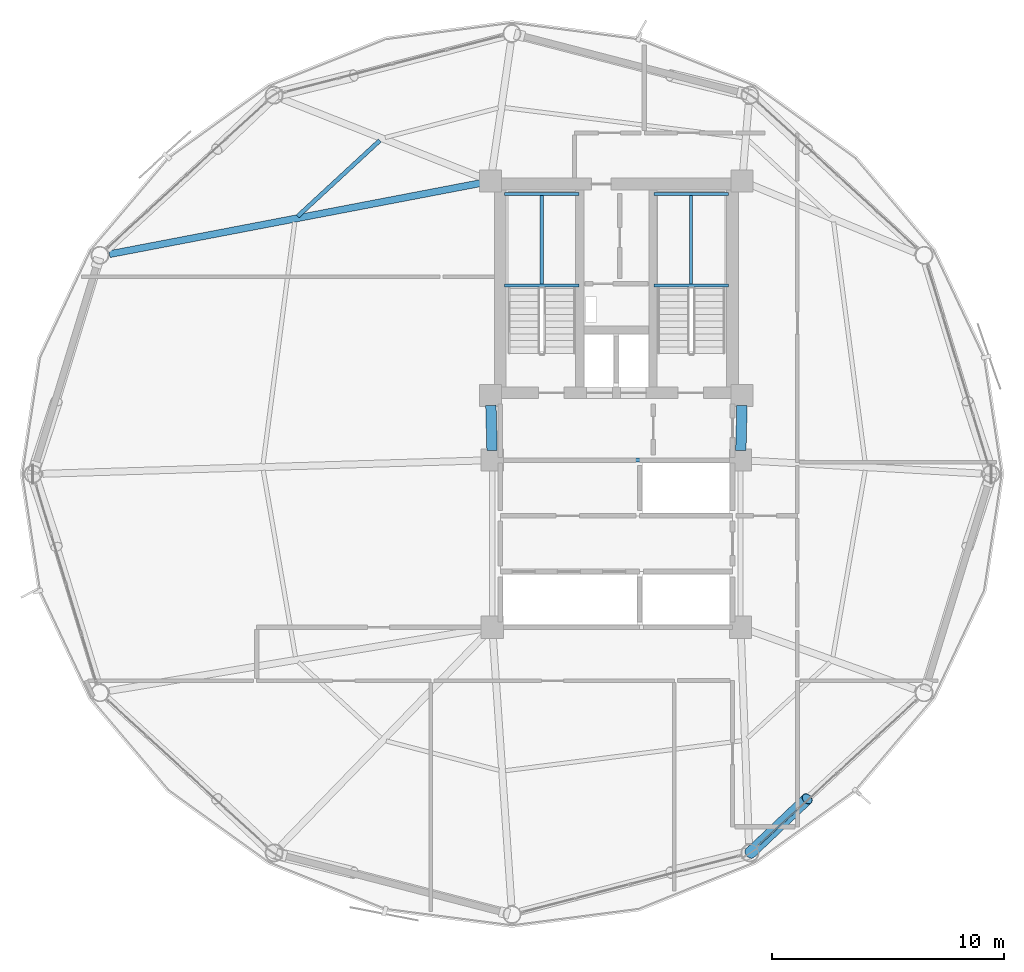
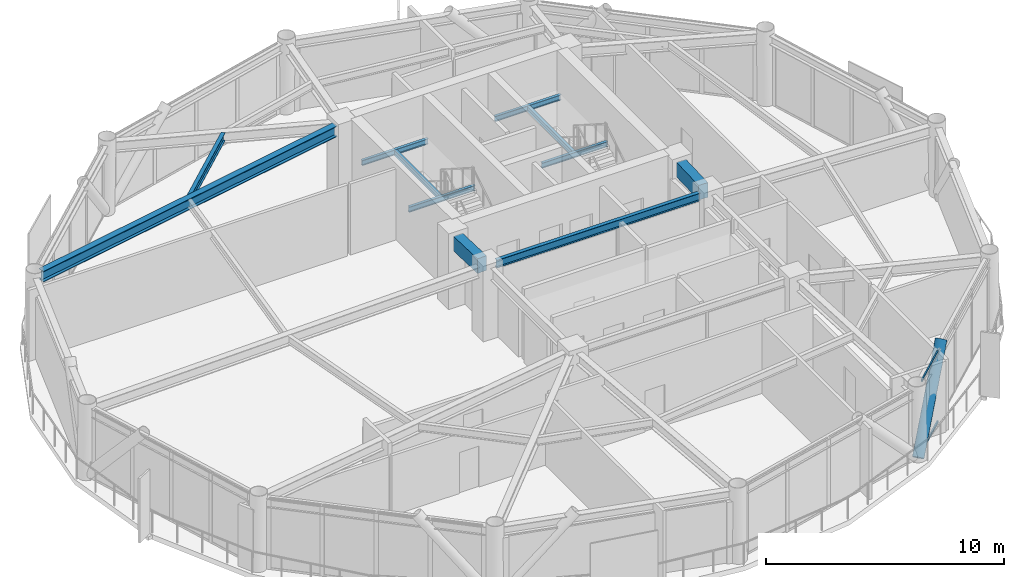
# One storey, part 13 of 25: 11 beams, 3 members, 1 element without a shape of its own.
"""IFC4 building model written with IfcOpenShell, lengths in metres."""

import ifcopenshell
import ifcopenshell.guid

model = None  # the IFC model being written
_history = None  # IfcOwnerHistory: only IFC2X3 demands one
_inside = {}  # id of a spatial element -> (the spatial element, [elements in it])
_under = {}  # id of a project, library or spatial element -> (it, [spatial elements below it])
_declared = {}  # id of a project -> (the project, [libraries it declares])
_typed = {}  # id of a type object -> (the type object, [elements of that type])
_made_of = {}  # id of a material, layer set ... -> (it, [elements and type objects made of it])


def new_model(schema):
    """Start an empty IFC model of exactly this schema.

    Asked for "IFC4X3", IfcOpenShell would pick the latest addendum, in which some entities
    have other attributes; the version numbers below select the first issue.
    IFC2X3 requires an IfcOwnerHistory on every rooted entity: one is made here for all.
    """
    global model, _history
    if schema == "IFC4X3":
        model = ifcopenshell.file(schema_version=(4, 3, 0, 0))
    else:
        model = ifcopenshell.file(schema=schema)
    _inside.clear()
    _under.clear()
    _declared.clear()
    _typed.clear()
    _made_of.clear()
    _history = None
    if model.schema == "IFC2X3":
        org = make("IfcOrganization", Name="unknown")
        user = make(
            "IfcPersonAndOrganization",
            ThePerson=make("IfcPerson", FamilyName="unknown"),
            TheOrganization=org,
        )
        app = make(
            "IfcApplication",
            ApplicationDeveloper=org,
            Version="unknown",
            ApplicationFullName="unknown",
            ApplicationIdentifier="unknown",
        )
        _history = make(
            "IfcOwnerHistory",
            OwningUser=user,
            OwningApplication=app,
            ChangeAction="ADDED",
            CreationDate=0,
        )
    return model


def make(cls, **values):
    """One entity of the class cls with the attributes given. An attribute that is None is left unset."""
    return model.create_entity(
        cls, **{name: value for name, value in values.items() if value is not None}
    )


def rooted(cls, **values):
    """An entity with a GlobalId (a new one), such as an element, a storey or a relation."""
    return make(cls, GlobalId=ifcopenshell.guid.new(), OwnerHistory=_history, **values)


def si_unit(unit_type, name, prefix=None):
    """IfcSIUnit, for example si_unit("LENGTHUNIT", "METRE", prefix="MILLI")."""
    return make("IfcSIUnit", UnitType=unit_type, Prefix=prefix, Name=name)


def assignment(units):
    """IfcUnitAssignment: the units of a project."""
    return None if units is None else make("IfcUnitAssignment", Units=units)


def point(xyz):
    """IfcCartesianPoint."""
    return None if xyz is None else make("IfcCartesianPoint", Coordinates=xyz)


def direction(xyz):
    """IfcDirection."""
    return None if xyz is None else make("IfcDirection", DirectionRatios=xyz)


def frame(location, z_axis=None, x_axis=None):
    """IfcAxis2Placement3D, a coordinate frame: its origin and axes. An axis left out is left unset."""
    return make(
        "IfcAxis2Placement3D",
        Location=point(location),
        Axis=direction(z_axis),
        RefDirection=direction(x_axis),
    )


def frame_2d(location, x_axis=None):
    """IfcAxis2Placement2D, a coordinate frame in the plane: its origin and x axis."""
    return make(
        "IfcAxis2Placement2D", Location=point(location), RefDirection=direction(x_axis)
    )


def origin():
    """The frame at (0, 0, 0) with its axes left unset."""
    return frame((0.0, 0.0, 0.0))


def origin_2d():
    """The frame at (0, 0) in the plane with its x axis left unset."""
    return frame_2d((0.0, 0.0))


def place(relative_to, where):
    """IfcLocalPlacement: puts the frame where relative to a parent placement (None: the world)."""
    return make(
        "IfcLocalPlacement", PlacementRelTo=relative_to, RelativePlacement=where
    )


def context(
    kind, dimensions, precision=None, world=None, true_north=None, identifier=None
):
    """IfcGeometricRepresentationContext, for example the 3D "Model" context."""
    return make(
        "IfcGeometricRepresentationContext",
        ContextIdentifier=identifier,
        ContextType=kind,
        CoordinateSpaceDimension=dimensions,
        Precision=precision,
        WorldCoordinateSystem=world,
        TrueNorth=true_north,
    )


def subcontext(parent, identifier, kind, view, scale=None):
    """IfcGeometricRepresentationSubContext, for example "Body" below "Model"."""
    return make(
        "IfcGeometricRepresentationSubContext",
        ContextIdentifier=identifier,
        ContextType=kind,
        ParentContext=parent,
        TargetScale=scale,
        TargetView=view,
    )


def project(units=None, contexts=None):
    """IfcProject with its units and contexts."""
    return rooted(
        "IfcProject",
        Name="project",
        RepresentationContexts=contexts,
        UnitsInContext=assignment(units),
    )


def spatial(cls, under=None, at=None, **own):
    """A site, building, storey or space (cls), placed at a placement, below another one or the project."""
    s = rooted(cls, ObjectPlacement=at, **own)
    if under is not None:
        _under.setdefault(under.id(), (under, []))[1].append(s)
    return s


def profile(cls, at=None, kind="AREA", **sizes):
    """A parametric profile (cls). Its sizes go by their IFC names, for example OverallWidth=200.0."""
    return make(cls, ProfileType=kind, Position=at, **sizes)


def rectangle(**sizes):
    """IfcRectangleProfileDef."""
    return profile("IfcRectangleProfileDef", **sizes)


def hollow_rectangle(**sizes):
    """IfcRectangleHollowProfileDef."""
    return profile("IfcRectangleHollowProfileDef", **sizes)


def hollow_circle(**sizes):
    """IfcCircleHollowProfileDef."""
    return profile("IfcCircleHollowProfileDef", **sizes)


def i_section(**sizes):
    """IfcIShapeProfileDef."""
    return profile("IfcIShapeProfileDef", **sizes)


def extrude(swept, where, along, depth):
    """IfcExtrudedAreaSolid: the profile swept, set in the frame where, extruded along a direction by depth."""
    return make(
        "IfcExtrudedAreaSolid",
        SweptArea=swept,
        Position=where,
        ExtrudedDirection=direction(along),
        Depth=depth,
    )


def shape(context_of_items, identifier, shape_type, items):
    """IfcShapeRepresentation: the items that make up one representation, for example the "Body"."""
    return make(
        "IfcShapeRepresentation",
        ContextOfItems=context_of_items,
        RepresentationIdentifier=identifier,
        RepresentationType=shape_type,
        Items=items,
    )


def material(Name=None, Category=None):
    """IfcMaterial."""
    return make("IfcMaterial", Name=Name, Category=Category)


def layer(
    of_material, thickness, ventilated=None, Name=None, Category=None, Priority=None
):
    """IfcMaterialLayer: one layer of a wall or slab, of a material (None: an air gap)."""
    return make(
        "IfcMaterialLayer",
        Material=of_material,
        LayerThickness=thickness,
        IsVentilated=ventilated,
        Name=Name,
        Category=Category,
        Priority=Priority,
    )


def layer_set(layers, Name=None):
    """IfcMaterialLayerSet."""
    return make("IfcMaterialLayerSet", MaterialLayers=layers, LayerSetName=Name)


def material_profile(
    of_material, cross_section, Name=None, Category=None, Priority=None
):
    """IfcMaterialProfile: a cross section and its material."""
    return make(
        "IfcMaterialProfile",
        Name=Name,
        Material=of_material,
        Profile=cross_section,
        Priority=Priority,
        Category=Category,
    )


def profile_set(profiles, Name=None, composite=None):
    """IfcMaterialProfileSet."""
    return make(
        "IfcMaterialProfileSet",
        Name=Name,
        MaterialProfiles=profiles,
        CompositeProfile=composite,
    )


def made_of(thing, what):
    """Note that an element or type object is made of a material, layer set ...; save() writes the relation."""
    if what is not None:
        _made_of.setdefault(what.id(), (what, []))[1].append(thing)
    return thing


def type_object(cls, material=None, **own):
    """A type object (cls), such as IfcWallType, which elements share."""
    return made_of(rooted(cls, **own), material)


def element(
    cls,
    number,
    at=None,
    inside=None,
    cuts=None,
    type_object=None,
    material=None,
    context=None,
    identifier="Body",
    shape_type=None,
    held_by="IfcProductDefinitionShape",
    body=None,
    shapes=None,
    **own,
):
    """One element of the class cls, such as IfcWall. Its Tag is "e" and its number.

    at: its placement. inside: the storey or other place that contains it. cuts: it is an
    opening in that element (IfcRelVoidsElement). A single representation is given by context,
    identifier, shape_type and body (its items); several are given by shapes. held_by: the class
    of the entity that holds the representations. save() writes the other relations.
    """
    e = rooted(cls, Tag="e%d" % number, ObjectPlacement=at, **own)
    if body is not None:
        shapes = [shape(context, identifier, shape_type, body)]
    if shapes is not None:
        e.Representation = make(held_by, Representations=shapes)
    if inside is not None:
        _inside.setdefault(inside.id(), (inside, []))[1].append(e)
    if cuts is not None:
        rooted(
            "IfcRelVoidsElement", RelatingBuildingElement=cuts, RelatedOpeningElement=e
        )
    if type_object is not None:
        _typed.setdefault(type_object.id(), (type_object, []))[1].append(e)
    return made_of(e, material)


def aggregate(whole, parts):
    """IfcRelAggregates: a whole, such as a stair, and the parts it consists of."""
    return rooted("IfcRelAggregates", RelatingObject=whole, RelatedObjects=parts)


def save(model, path):
    """Write the relations noted so far, then the file.

    IfcRelAggregates (storeys below a building ...), IfcRelContainedInSpatialStructure (elements
    in a storey), IfcRelDefinesByType, IfcRelAssociatesMaterial and IfcRelDeclares: one each for
    every whole, place, type object, material and project.
    """
    for whole, parts in _under.values():
        aggregate(whole, parts)
    for where, things in _inside.values():
        rooted(
            "IfcRelContainedInSpatialStructure",
            RelatedElements=things,
            RelatingStructure=where,
        )
    for kind, things in _typed.values():
        rooted("IfcRelDefinesByType", RelatedObjects=things, RelatingType=kind)
    for what, things in _made_of.values():
        rooted("IfcRelAssociatesMaterial", RelatedObjects=things, RelatingMaterial=what)
    for by, libraries in _declared.values():
        rooted("IfcRelDeclares", RelatingContext=by, RelatedDefinitions=libraries)
    model.write(path)


model = new_model("IFC4")

# Units and contexts
model_context = context("Model", 3, precision=1e-05, world=origin(), true_north=direction((0.0, 1.0)))
body_context = subcontext(model_context, "Body", "Model", "MODEL_VIEW")
ifc_project = project(units=[si_unit("LENGTHUNIT", "METRE"), si_unit("AREAUNIT", "SQUARE_METRE"), si_unit("VOLUMEUNIT", "CUBIC_METRE"), si_unit("PLANEANGLEUNIT", "RADIAN"), si_unit("MASSUNIT", "GRAM", prefix="KILO")], contexts=[model_context])

# Site, building, storey
site_placement = place(None, origin())
site = spatial("IfcSite", under=ifc_project, at=site_placement, CompositionType="ELEMENT")
building_placement = place(site_placement, origin())
building = spatial("IfcBuilding", under=site, at=building_placement, Name="Varnakorn Sky Granary", CompositionType="ELEMENT")
storey_placement = place(building_placement, frame((0.0, 0.0, 157.800048828125)))
storey = spatial("IfcBuildingStorey", under=building, at=storey_placement, Name="L39", CompositionType="ELEMENT", Elevation=157.800048828125)

# Beams
ifc_material_1 = material(Name="Concrete C60/75", Category="concrete")
ifc_material_profile_1 = material_profile(ifc_material_1, rectangle(XDim=0.449951171875, YDim=0.75, at=origin_2d()), Name="RC 450x750")
ifc_profile_set_1 = profile_set([ifc_material_profile_1], Name="Concrete C60/75")
beam_type_1 = type_object("IfcBeamType", Name="BM-LIN-750", PredefinedType="LINTEL", material=ifc_profile_set_1)
for number, where, z_axis, x_axis, name in (
    (1, (-2.409423828125, 2.960205078125, 3.264892578125), (0.025158763514, -0.999683468213, 0.0), (0.999683468213, 0.025158763514, 0.0), "Core Spine Framing Beam 1 L39"),
    (2, (8.409423828125, 2.960205078125, 3.264892578125), (-0.025158763514, -0.999683468213, 0.0), (0.999683468213, -0.025158763514, 0.0), "Core Spine Framing Beam 2 L39"),
):
    element("IfcBeam", number, at=place(storey_placement, frame(where, z_axis=z_axis, x_axis=x_axis)), inside=storey, type_object=beam_type_1, Name=name, PredefinedType="LINTEL", context=body_context, shape_type="SweptSolid", body=[
        extrude(rectangle(XDim=0.449951171875, YDim=0.75, at=origin_2d()), origin(), (0.0, 0.0, 1.0), 1.94091796875),
    ])
ifc_material_2 = material(Name="Steel S355JR", Category="steel")
ifc_material_profile_2 = material_profile(ifc_material_2, i_section(OverallWidth=0.135009765625, OverallDepth=0.27001953125, WebThickness=0.006591796875, FlangeThickness=0.01025390625, at=origin_2d()), Name="IPE 270")
ifc_profile_set_2 = profile_set([ifc_material_profile_2], Name="Steel S355JR")
beam_type_2 = type_object("IfcBeamType", Name="BM-LND-270", PredefinedType="BEAM", material=ifc_profile_set_2)
for number, where, z_axis, x_axis, name in (
    (3, (-1.820068359375, 8.1201171875, 1.614990234375), (1.0, 0.0, 0.0), (0.0, 1.0, 0.0), "Stair ST-1 Landing Trimmer Beam A L39-1"),
    (4, (-1.820068359375, 12.06005859375, 1.614990234375), (1.0, 0.0, 0.0), (0.0, 1.0, 0.0), "Stair ST-1 Landing Trimmer Beam B L39-1"),
):
    element("IfcBeam", number, at=place(storey_placement, frame(where, z_axis=z_axis, x_axis=x_axis)), inside=storey, type_object=beam_type_2, Name=name, PredefinedType="BEAM", context=body_context, shape_type="SweptSolid", body=[
        extrude(i_section(OverallWidth=0.135009765625, OverallDepth=0.27001953125, WebThickness=0.006591796875, FlangeThickness=0.01025390625, at=origin_2d()), origin(), (0.0, 0.0, 1.0), 3.199951171875),
    ])
beam_1_placement = place(storey_placement, frame((-0.219970703125, 8.1201171875, 1.614990234375), z_axis=(0.0, 1.0, 0.0), x_axis=(-1.0, 0.0, 0.0)))
element("IfcBeam", 5, at=beam_1_placement, inside=storey, type_object=beam_type_2, Name="Stair ST-1 Landing Cross Beam C L39-1", PredefinedType="BEAM", context=body_context, shape_type="SweptSolid", body=[
    extrude(i_section(OverallWidth=0.135009765625, OverallDepth=0.27001953125, WebThickness=0.006591796875, FlangeThickness=0.01025390625, at=origin_2d()), origin(), (0.0, 0.0, 1.0), 3.93994140625),
])
for number, where, z_axis, x_axis, name in (
    (6, (4.6201171875, 8.1201171875, 1.614990234375), (1.0, 0.0, 0.0), (0.0, 1.0, 0.0), "Stair ST-2 Landing Trimmer Beam A L39-1"),
    (7, (4.6201171875, 12.06005859375, 1.614990234375), (1.0, 0.0, 0.0), (0.0, 1.0, 0.0), "Stair ST-2 Landing Trimmer Beam B L39-1"),
):
    element("IfcBeam", number, at=place(storey_placement, frame(where, z_axis=z_axis, x_axis=x_axis)), inside=storey, type_object=beam_type_2, Name=name, PredefinedType="BEAM", context=body_context, shape_type="SweptSolid", body=[
        extrude(i_section(OverallWidth=0.135009765625, OverallDepth=0.27001953125, WebThickness=0.006591796875, FlangeThickness=0.01025390625, at=origin_2d()), origin(), (0.0, 0.0, 1.0), 3.199951171875),
    ])
beam_2_placement = place(storey_placement, frame((6.219970703125, 8.1201171875, 1.614990234375), z_axis=(0.0, 1.0, 0.0), x_axis=(-1.0, 0.0, 0.0)))
element("IfcBeam", 8, at=beam_2_placement, inside=storey, type_object=beam_type_2, Name="Stair ST-2 Landing Cross Beam C L39-1", PredefinedType="BEAM", context=body_context, shape_type="SweptSolid", body=[
    extrude(i_section(OverallWidth=0.135009765625, OverallDepth=0.27001953125, WebThickness=0.006591796875, FlangeThickness=0.01025390625, at=origin_2d()), origin(), (0.0, 0.0, 1.0), 3.93994140625),
])
ifc_material_profile_3 = material_profile(ifc_material_2, i_section(OverallWidth=0.300048828125, OverallDepth=0.550048828125, WebThickness=0.014892578125, FlangeThickness=0.029052734375, at=origin_2d()), Name="HE 550 B")
ifc_profile_set_3 = profile_set([ifc_material_profile_3], Name="Steel S355JR")
beam_type_3 = type_object("IfcBeamType", Name="BM-RAD-Z3", PredefinedType="BEAM", material=ifc_profile_set_3)
beam_3_placement = place(storey_placement, frame((-2.83251953125, 12.541015625, 3.364990234375), z_axis=(-0.982153720918, -0.188079952379, 0.0), x_axis=(0.188079952379, -0.982153720918, 0.0)))
element("IfcBeam", 9, at=beam_3_placement, inside=storey, type_object=beam_type_3, Name="Radial Floor Girder RG06 L39", PredefinedType="BEAM", context=body_context, shape_type="SweptSolid", body=[
    extrude(i_section(OverallWidth=0.300048828125, OverallDepth=0.550048828125, WebThickness=0.014892578125, FlangeThickness=0.029052734375, at=origin_2d()), origin(), (0.0, 0.0, 1.0), 16.3076171875),
])
ifc_material_profile_4 = material_profile(ifc_material_2, i_section(OverallWidth=0.179931640625, OverallDepth=0.39990234375, WebThickness=0.008544921875, FlangeThickness=0.013427734375, at=origin_2d()), Name="IPE 400")
ifc_profile_set_4 = profile_set([ifc_material_profile_4], Name="Steel S355JR")
beam_type_4 = type_object("IfcBeamType", Name="BM-SEC-Z3", PredefinedType="BEAM", material=ifc_profile_set_4)
beam_4_placement = place(storey_placement, frame((-7.199951171875, 14.369873046875, 3.43994140625), z_axis=(-0.734609059858, -0.678490625708, 0.0), x_axis=(0.678490625708, -0.734609059858, 0.0)))
element("IfcBeam", 10, at=beam_4_placement, inside=storey, type_object=beam_type_4, Name="Secondary Floor Chord Beam MSB05 L39", PredefinedType="BEAM", context=body_context, shape_type="SweptSolid", body=[
    extrude(i_section(OverallWidth=0.179931640625, OverallDepth=0.39990234375, WebThickness=0.008544921875, FlangeThickness=0.013427734375, at=origin_2d()), origin(), (0.0, 0.0, 1.0), 4.81591796875),
])
beam_5_placement = place(storey_placement, frame((-1.929931640625, 0.60009765625, 3.43994140625), z_axis=(1.0, 0.0, 0.0), x_axis=(0.0, 1.0, 0.0)))
element("IfcBeam", 11, at=beam_5_placement, inside=storey, type_object=beam_type_4, Name="Core Spine Framing Beam 5 L39", PredefinedType="BEAM", context=body_context, shape_type="SweptSolid", body=[
    extrude(i_section(OverallWidth=0.179931640625, OverallDepth=0.39990234375, WebThickness=0.008544921875, FlangeThickness=0.013427734375, at=origin_2d()), origin(), (0.0, 0.0, 1.0), 9.85986328125),
])

# Curtain wall, members
ifc_material_3 = material(Name="Anodised Bronze Aluminium Alloy 6063-T6", Category="aluminium")
ifc_layer = layer(ifc_material_3, 0.179931640625, Name="Anodised Bronze Aluminium Alloy 6063-T6")
ifc_layer_set = layer_set([ifc_layer], Name="Anodised Bronze Aluminium Alloy 6063-T6")
curtain_wall_type = type_object("IfcCurtainWallType", Name="CW-FRM-2", PredefinedType="USERDEFINED", material=ifc_layer_set)
curtain_wall_placement = place(storey_placement, origin())
curtain_wall = element("IfcCurtainWall", 12, at=curtain_wall_placement, inside=storey, type_object=curtain_wall_type, Name="Unitised Curtain Wall CW4 CW-L39-B11", ObjectType="CURTAIN WALL", PredefinedType="USERDEFINED")
ifc_material_profile_5 = material_profile(ifc_material_3, hollow_rectangle(XDim=0.06494140625, YDim=0.1201171875, WallThickness=0.00341796875, at=origin_2d()), Name="ALU TRAN 65x120")
ifc_profile_set_5 = profile_set([ifc_material_profile_5], Name="Anodised Bronze Aluminium Alloy 6063-T6")
member_type_1 = type_object("IfcMemberType", Name="CW-FRM-2-TRAN", PredefinedType="USERDEFINED", material=ifc_profile_set_5)
member_1_placement = place(storey_placement, frame((10.771240234375, -14.48046875, 0.032470703125), z_axis=(-0.736173791473, -0.676792544838, 0.0), x_axis=(0.676792544838, -0.736173791473, 0.0)))
member_1 = element("IfcMember", 13, at=member_1_placement, type_object=member_type_1, Name="CW4 transom 4.1", ObjectType="TRANSOM", PredefinedType="USERDEFINED", context=body_context, shape_type="SweptSolid", body=[
    extrude(hollow_rectangle(XDim=0.06494140625, YDim=0.1201171875, WallThickness=0.00341796875, at=origin_2d()), origin(), (0.0, 0.0, 1.0), 2.224365234375),
])
member_2_placement = place(storey_placement, frame((10.771240234375, -14.48046875, 3.607421875), z_axis=(-0.736173791473, -0.676792544838, 0.0), x_axis=(0.676792544838, -0.736173791473, 0.0)))
member_2 = element("IfcMember", 14, at=member_2_placement, type_object=member_type_1, Name="CW4 transom 4.2", ObjectType="TRANSOM", PredefinedType="USERDEFINED", context=body_context, shape_type="SweptSolid", body=[
    extrude(hollow_rectangle(XDim=0.06494140625, YDim=0.1201171875, WallThickness=0.00341796875, at=origin_2d()), origin(), (0.0, 0.0, 1.0), 2.224365234375),
])
aggregate(curtain_wall, [member_1, member_2])

# Member
ifc_material_4 = material(Name="Steel S460M", Category="steel")
ifc_material_profile_6 = material_profile(ifc_material_4, hollow_circle(Radius=0.25390625, WallThickness=0.01806640625, at=origin_2d()), Name="CHS 508x18")
ifc_profile_set_6 = profile_set([ifc_material_profile_6], Name="Steel S460M")
member_type_2 = type_object("IfcMemberType", Name="MB-DIAG-T2", PredefinedType="BRACE", material=ifc_profile_set_6)
member_3_placement = place(storey_placement, frame((8.757568359375, -16.33154296875, 0.0), z_axis=(0.483777998943, 0.459303563921, 0.744982606447), x_axis=(-0.688524443345, 0.72521313482, 0.0)))
element("IfcMember", 15, at=member_3_placement, inside=storey, type_object=member_type_2, Name="Perimeter CHS Diagrid Brace DG11 L39", PredefinedType="BRACE", context=body_context, shape_type="SweptSolid", body=[
    extrude(hollow_circle(Radius=0.25390625, WallThickness=0.01806640625, at=origin_2d()), origin(), (0.0, 0.0, 1.0), 5.08740234375),
])

save(model, "model.ifc")
